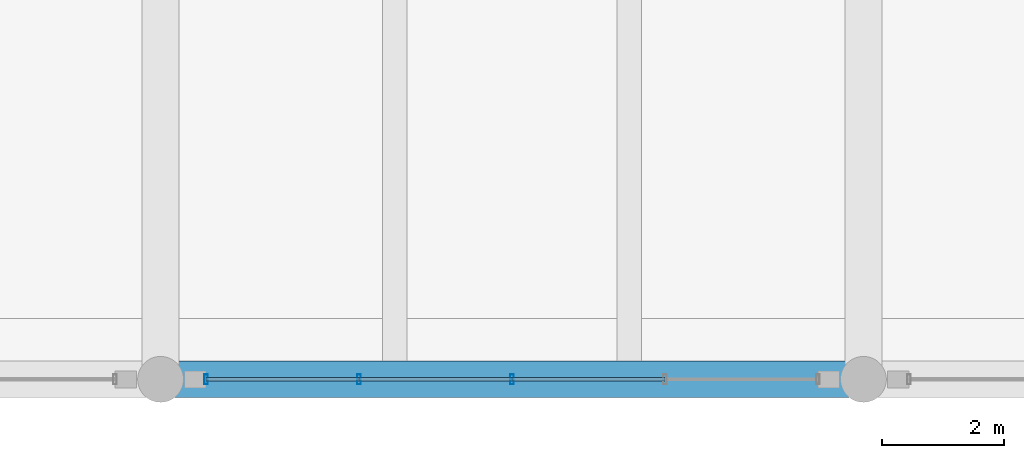
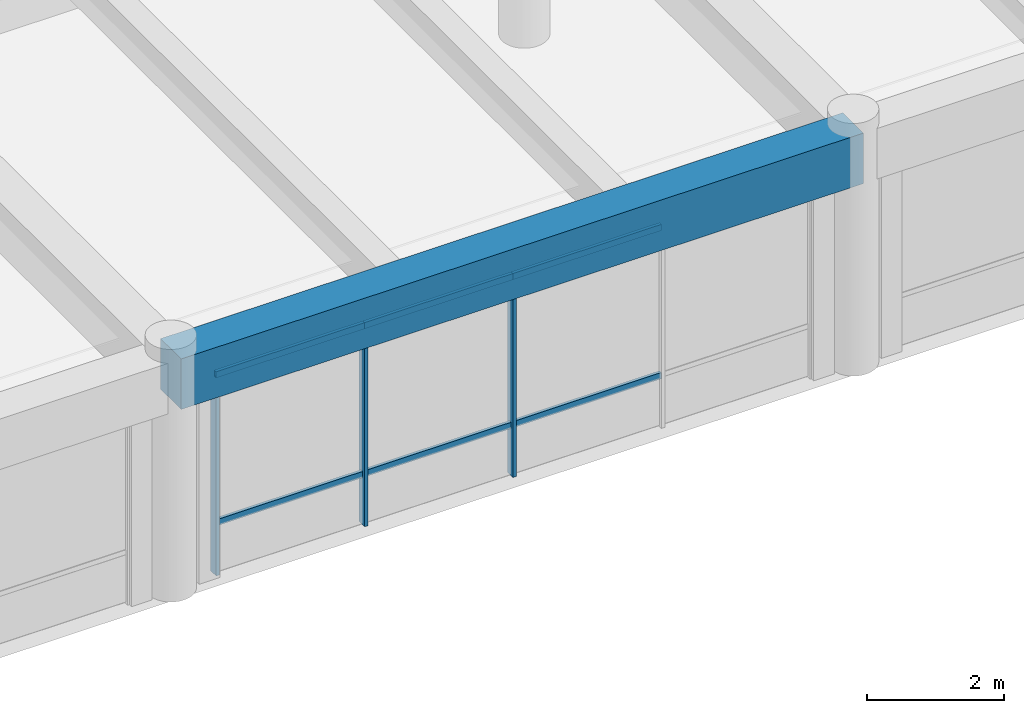
# One storey, part 30 of 154: 9 members, 1 beam, 1 element without a shape of its own.
"""IFC4 building model written with IfcOpenShell, lengths in metres."""

from ifc_helpers import new_model, si_unit, direction, frame, origin, origin_2d, place, context, subcontext, project, spatial, rectangle, hollow_rectangle, extrude, material, material_profile, profile_set, type_object, element, aggregate, save


model = new_model("IFC4")

# Units and contexts
model_context = context("Model", 3, precision=1e-05, world=origin(), true_north=direction((0.0, 1.0)))
body_context = subcontext(model_context, "Body", "Model", "MODEL_VIEW")
ifc_project = project(units=[si_unit("LENGTHUNIT", "METRE"), si_unit("AREAUNIT", "SQUARE_METRE"), si_unit("VOLUMEUNIT", "CUBIC_METRE"), si_unit("PLANEANGLEUNIT", "RADIAN"), si_unit("MASSUNIT", "GRAM", prefix="KILO")], contexts=[model_context])

# Site, building, storey
site_placement = place(None, origin())
site = spatial("IfcSite", under=ifc_project, at=site_placement, CompositionType="ELEMENT")
building_placement = place(site_placement, origin())
building = spatial("IfcBuilding", under=site, at=building_placement, Name="Ologun Quay Terminus", CompositionType="ELEMENT")
storey_placement = place(building_placement, frame((0.0, 0.0, 13.800048828125)))
storey = spatial("IfcBuildingStorey", under=building, at=storey_placement, Name="L03", CompositionType="ELEMENT", Elevation=13.800048828125)

# Curtain wall, members
ifc_material_1 = material(Name="Aluminium 6063-T6", Category="aluminium")
curtain_wall_type = type_object("IfcCurtainWallType", Name="South Pavilion Reading Hall Curtain Wall 10700x4150", PredefinedType="USERDEFINED", material=ifc_material_1)
curtain_wall_placement = place(storey_placement, origin())
curtain_wall = element("IfcCurtainWall", 1, at=curtain_wall_placement, inside=storey, type_object=curtain_wall_type, Name="CW-06 Curtain Wall CW-L03-036", ObjectType="UNITISED CURTAIN WALL", PredefinedType="USERDEFINED")
ifc_material_2 = material(Name="Aluminium 6063-T6", Category="aluminium")
ifc_material_profile_1 = material_profile(ifc_material_2, hollow_rectangle(XDim=0.06005859375, YDim=0.159912109375, WallThickness=0.00390625, at=origin_2d()), Name="ALU 160x60x4")
ifc_profile_set_1 = profile_set([ifc_material_profile_1], Name="Aluminium 6063-T6")
member_type_1 = type_object("IfcMemberType", Name="Curtain Wall Standard Mullion 160x65", PredefinedType="MULLION", material=ifc_profile_set_1)
member_1_placement = place(storey_placement, frame((81.2451171875, 8.0, 0.0), z_axis=(0.0, 0.0, 1.0), x_axis=(1.0, 0.0, 0.0)))
member_1 = element("IfcMember", 2, at=member_1_placement, type_object=member_type_1, Name="CW-L03-036 Mullion 1", PredefinedType="MULLION", context=body_context, shape_type="SweptSolid", body=[
    extrude(hollow_rectangle(XDim=0.06005859375, YDim=0.159912109375, WallThickness=0.00390625, at=origin_2d()), origin(), (0.0, 0.0, 1.0), 4.239990234375),
])
member_2_placement = place(storey_placement, frame((83.74755859375, 8.0, 0.0), z_axis=(0.0, 0.0, 1.0), x_axis=(1.0, 0.0, 0.0)))
member_2 = element("IfcMember", 3, at=member_2_placement, type_object=member_type_1, Name="CW-L03-036 Mullion 2", PredefinedType="MULLION", context=body_context, shape_type="SweptSolid", body=[
    extrude(hollow_rectangle(XDim=0.06005859375, YDim=0.159912109375, WallThickness=0.00390625, at=origin_2d()), origin(), (0.0, 0.0, 1.0), 4.239990234375),
])
member_3_placement = place(storey_placement, frame((86.25, 8.0, 0.0), z_axis=(0.0, 0.0, 1.0), x_axis=(1.0, 0.0, 0.0)))
member_3 = element("IfcMember", 4, at=member_3_placement, type_object=member_type_1, Name="CW-L03-036 Mullion 3", PredefinedType="MULLION", context=body_context, shape_type="SweptSolid", body=[
    extrude(hollow_rectangle(XDim=0.06005859375, YDim=0.159912109375, WallThickness=0.00390625, at=origin_2d()), origin(), (0.0, 0.0, 1.0), 4.239990234375),
])
ifc_material_3 = material(Name="Aluminium 6063-T6", Category="aluminium")
ifc_material_profile_2 = material_profile(ifc_material_3, hollow_rectangle(XDim=0.054931640625, YDim=0.110107421875, WallThickness=0.00390625, at=origin_2d()), Name="ALU 110x55x4")
ifc_profile_set_2 = profile_set([ifc_material_profile_2], Name="Aluminium 6063-T6")
member_type_2 = type_object("IfcMemberType", Name="Curtain Wall Standard Transom 110x55", PredefinedType="USERDEFINED", material=ifc_profile_set_2)
member_4_placement = place(storey_placement, frame((81.2451171875, 8.0, 0.89990234375), z_axis=(1.0, 0.0, 0.0), x_axis=(0.0, 1.0, 0.0)))
member_4 = element("IfcMember", 5, at=member_4_placement, type_object=member_type_2, Name="CW-L03-036 Transom B1-1", ObjectType="TRANSOM", PredefinedType="USERDEFINED", context=body_context, shape_type="SweptSolid", body=[
    extrude(hollow_rectangle(XDim=0.054931640625, YDim=0.110107421875, WallThickness=0.00390625, at=origin_2d()), origin(), (0.0, 0.0, 1.0), 2.50244140625),
])
member_5_placement = place(storey_placement, frame((81.2451171875, 8.0, 3.5400390625), z_axis=(1.0, 0.0, 0.0), x_axis=(0.0, 1.0, 0.0)))
member_5 = element("IfcMember", 6, at=member_5_placement, type_object=member_type_2, Name="CW-L03-036 Transom B1-2", ObjectType="TRANSOM", PredefinedType="USERDEFINED", context=body_context, shape_type="SweptSolid", body=[
    extrude(hollow_rectangle(XDim=0.054931640625, YDim=0.110107421875, WallThickness=0.00390625, at=origin_2d()), origin(), (0.0, 0.0, 1.0), 2.50244140625),
])
member_6_placement = place(storey_placement, frame((83.74755859375, 8.0, 0.89990234375), z_axis=(1.0, 0.0, 0.0), x_axis=(0.0, 1.0, 0.0)))
member_6 = element("IfcMember", 7, at=member_6_placement, type_object=member_type_2, Name="CW-L03-036 Transom B2-1", ObjectType="TRANSOM", PredefinedType="USERDEFINED", context=body_context, shape_type="SweptSolid", body=[
    extrude(hollow_rectangle(XDim=0.054931640625, YDim=0.110107421875, WallThickness=0.00390625, at=origin_2d()), origin(), (0.0, 0.0, 1.0), 2.50244140625),
])
member_7_placement = place(storey_placement, frame((83.74755859375, 8.0, 3.5400390625), z_axis=(1.0, 0.0, 0.0), x_axis=(0.0, 1.0, 0.0)))
member_7 = element("IfcMember", 8, at=member_7_placement, type_object=member_type_2, Name="CW-L03-036 Transom B2-2", ObjectType="TRANSOM", PredefinedType="USERDEFINED", context=body_context, shape_type="SweptSolid", body=[
    extrude(hollow_rectangle(XDim=0.054931640625, YDim=0.110107421875, WallThickness=0.00390625, at=origin_2d()), origin(), (0.0, 0.0, 1.0), 2.50244140625),
])
member_8_placement = place(storey_placement, frame((86.25, 8.0, 0.89990234375), z_axis=(1.0, 0.0, 0.0), x_axis=(0.0, 1.0, 0.0)))
member_8 = element("IfcMember", 9, at=member_8_placement, type_object=member_type_2, Name="CW-L03-036 Transom B3-1", ObjectType="TRANSOM", PredefinedType="USERDEFINED", context=body_context, shape_type="SweptSolid", body=[
    extrude(hollow_rectangle(XDim=0.054931640625, YDim=0.110107421875, WallThickness=0.00390625, at=origin_2d()), origin(), (0.0, 0.0, 1.0), 2.50244140625),
])
member_9_placement = place(storey_placement, frame((86.25, 8.0, 3.5400390625), z_axis=(1.0, 0.0, 0.0), x_axis=(0.0, 1.0, 0.0)))
member_9 = element("IfcMember", 10, at=member_9_placement, type_object=member_type_2, Name="CW-L03-036 Transom B3-2", ObjectType="TRANSOM", PredefinedType="USERDEFINED", context=body_context, shape_type="SweptSolid", body=[
    extrude(hollow_rectangle(XDim=0.054931640625, YDim=0.110107421875, WallThickness=0.00390625, at=origin_2d()), origin(), (0.0, 0.0, 1.0), 2.50244140625),
])
aggregate(curtain_wall, [member_1, member_2, member_3, member_4, member_5, member_6, member_7, member_8, member_9])

# Beam
ifc_material_4 = material(Name="Concrete C40/50", Category="concrete")
ifc_material_profile_3 = material_profile(ifc_material_4, rectangle(XDim=0.60009765625, YDim=0.89990234375, at=origin_2d()), Name="RC 600x900")
ifc_profile_set_3 = profile_set([ifc_material_profile_3], Name="Concrete C40/50")
beam_type = type_object("IfcBeamType", Name="Station Frame Girder 600x900", PredefinedType="BEAM", material=ifc_profile_set_3)
beam_placement = place(storey_placement, frame((80.5, 8.0, 3.800048828125), z_axis=(1.0, 0.0, 0.0), x_axis=(0.0, 1.0, 0.0)))
element("IfcBeam", 11, at=beam_placement, inside=storey, type_object=beam_type, Name="B3 Beam 8/B L03", PredefinedType="BEAM", context=body_context, shape_type="SweptSolid", body=[
    extrude(rectangle(XDim=0.60009765625, YDim=0.89990234375, at=origin_2d()), origin(), (0.0, 0.0, 1.0), 11.5),
])

save(model, "model.ifc")
